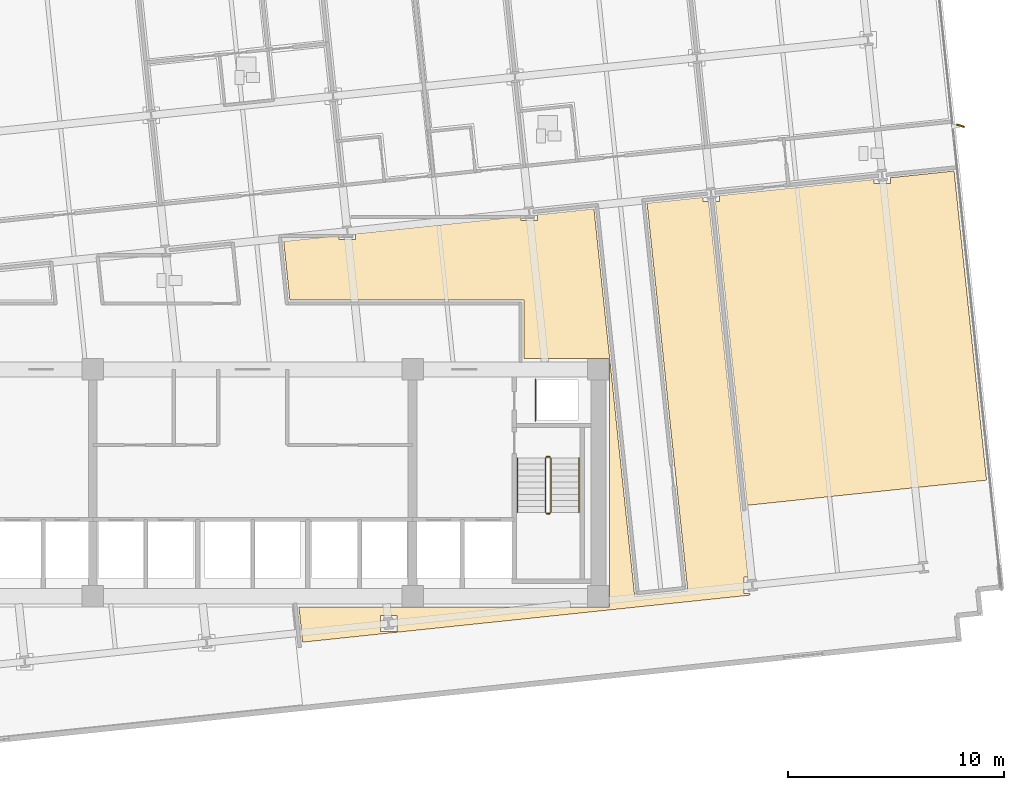
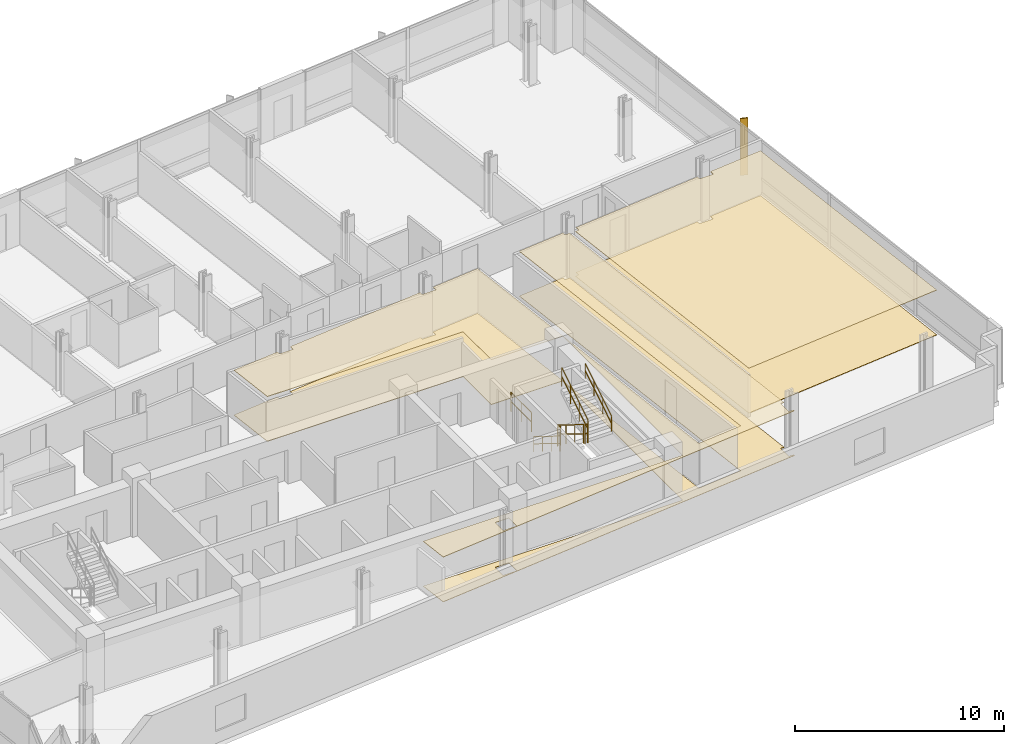
# One storey, part 15 of 17: 7 railings, 4 coverings, 1 shading device.
"""IFC4 building model written with IfcOpenShell, lengths in metres."""

from ifc_helpers import new_model, si_unit, direction, frame, origin, origin_2d, place, context, subcontext, project, spatial, polyline, rectangle, circle, outline, extrude, material, layer, layer_set, type_object, element, save


model = new_model("IFC4")

# Units and contexts
model_context = context("Model", 3, precision=1e-05, world=origin(), true_north=direction((0.0, 1.0)))
body_context = subcontext(model_context, "Body", "Model", "MODEL_VIEW")
ifc_project = project(units=[si_unit("LENGTHUNIT", "METRE"), si_unit("AREAUNIT", "SQUARE_METRE"), si_unit("VOLUMEUNIT", "CUBIC_METRE"), si_unit("PLANEANGLEUNIT", "RADIAN"), si_unit("MASSUNIT", "GRAM", prefix="KILO")], contexts=[model_context])

# Site, building, storey
site_placement = place(None, origin())
site = spatial("IfcSite", under=ifc_project, at=site_placement, CompositionType="ELEMENT")
building_placement = place(site_placement, origin())
building = spatial("IfcBuilding", under=site, at=building_placement, Name="Solmavex Isthmus Hotel", CompositionType="ELEMENT")
storey_placement = place(building_placement, frame((0.0, 0.0, 93.89990234375)))
storey = spatial("IfcBuildingStorey", under=building, at=storey_placement, Name="L25", CompositionType="ELEMENT", Elevation=93.89990234375)

# Coverings
ifc_material_1 = material(Name="Gypsum plasterboard lining", Category="gypsum")
ifc_layer_1 = layer(ifc_material_1, 0.030029296875)
ifc_layer_set_1 = layer_set([ifc_layer_1], Name="Gypsum plasterboard lining")
covering_type_1 = type_object("IfcCoveringType", Name="COV-CEIL-GYP", PredefinedType="CEILING", material=ifc_layer_set_1)
covering_1_placement = place(storey_placement, frame((0.0, 0.0, 2.6201171875)))
element("IfcCovering", 1, at=covering_1_placement, inside=storey, type_object=covering_type_1, Name="Suspended Acoustic Ceiling L25-FL12", PredefinedType="CEILING", context=body_context, shape_type="SweptSolid", body=[
    extrude(outline(polyline([(4.760498046875, 3.7724609375), (4.760498046875, 3.508544921875), (4.00048828125, 3.508544921875), (4.00048828125, 3.692626953125), (1.43505859375, 3.423095703125), (1.720703125, 0.705078125), (12.554931640625, 0.705078125), (12.554931640625, -1.9951171875), (16.5048828125, -1.9951171875), (16.5048828125, -13.5048828125), (2.141357421875, -13.5048828125), (2.311767578125, -15.126953125), (23.019775390625, -12.950439453125), (23.011474609375, -12.87158203125), (22.747314453125, -12.87158203125), (22.747314453125, -12.111572265625), (22.931640625, -12.111572265625), (21.103759765625, 5.2783203125), (20.83984375, 5.2783203125), (20.83984375, 5.462646484375), (18.25439453125, 5.19091796875), (20.14111328125, -12.76025390625), (17.6845703125, -13.0185546875), (15.7978515625, 4.9326171875), (13.18017578125, 4.657470703125), (13.18017578125, 4.393310546875), (12.420166015625, 4.393310546875), (12.420166015625, 4.57763671875), (4.760498046875, 3.7724609375)]), holes=[polyline([(5.908203125, -14.6416015625), (5.908203125, -13.881591796875), (6.668212890625, -13.881591796875), (6.668212890625, -14.6416015625), (5.908203125, -14.6416015625)])]), origin(), (0.0, 0.0, 1.0), 0.030029296875),
])
covering_2_placement = place(storey_placement, frame((0.0, 0.0, 2.6201171875)))
element("IfcCovering", 2, at=covering_2_placement, inside=storey, type_object=covering_type_1, Name="Suspended Acoustic Ceiling L25-FL13", PredefinedType="CEILING", context=body_context, shape_type="SweptSolid", body=[
    extrude(outline(polyline([(29.524169921875, 6.375244140625), (29.524169921875, 6.111328125), (28.76416015625, 6.111328125), (28.76416015625, 6.29541015625), (24.816162109375, 5.880615234375), (21.599609375, 5.54248046875), (21.599609375, 5.2783203125), (21.41552734375, 5.2783203125), (22.894287109375, -8.790771484375), (33.97119140625, -7.62646484375), (32.467041015625, 6.6845703125), (29.524169921875, 6.375244140625)])), origin(), (0.0, 0.0, 1.0), 0.030029296875),
])
ifc_material_2 = material(Name="Travertine natural stone", Category="masonry")
ifc_layer_2 = layer(ifc_material_2, 0.02490234375)
ifc_layer_set_2 = layer_set([ifc_layer_2], Name="Travertine natural stone")
covering_type_2 = type_object("IfcCoveringType", Name="COV-FLOR-STN", PredefinedType="FLOORING", material=ifc_layer_set_2)
covering_3_placement = place(storey_placement, origin())
element("IfcCovering", 3, at=covering_3_placement, inside=storey, type_object=covering_type_2, Name="Stone and Timber Floor Finish L25-FL12", PredefinedType="FLOORING", context=body_context, shape_type="SweptSolid", body=[
    extrude(outline(polyline([(4.760498046875, 3.7724609375), (4.760498046875, 3.508544921875), (4.00048828125, 3.508544921875), (4.00048828125, 3.692626953125), (1.43505859375, 3.423095703125), (1.720703125, 0.705078125), (12.554931640625, 0.705078125), (12.554931640625, -1.9951171875), (16.5048828125, -1.9951171875), (16.5048828125, -13.5048828125), (2.141357421875, -13.5048828125), (2.311767578125, -15.126953125), (23.019775390625, -12.950439453125), (23.011474609375, -12.87158203125), (22.747314453125, -12.87158203125), (22.747314453125, -12.111572265625), (22.931640625, -12.111572265625), (21.103759765625, 5.2783203125), (20.83984375, 5.2783203125), (20.83984375, 5.462646484375), (18.25439453125, 5.19091796875), (20.14111328125, -12.76025390625), (17.6845703125, -13.0185546875), (15.7978515625, 4.9326171875), (13.18017578125, 4.657470703125), (13.18017578125, 4.393310546875), (12.420166015625, 4.393310546875), (12.420166015625, 4.57763671875), (4.760498046875, 3.7724609375)]), holes=[polyline([(5.908203125, -14.6416015625), (5.908203125, -13.881591796875), (6.668212890625, -13.881591796875), (6.668212890625, -14.6416015625), (5.908203125, -14.6416015625)])]), origin(), (0.0, 0.0, 1.0), 0.025146484375),
])
covering_4_placement = place(storey_placement, origin())
element("IfcCovering", 4, at=covering_4_placement, inside=storey, type_object=covering_type_2, Name="Stone and Timber Floor Finish L25-FL13", PredefinedType="FLOORING", context=body_context, shape_type="SweptSolid", body=[
    extrude(outline(polyline([(29.524169921875, 6.375244140625), (29.524169921875, 6.111328125), (28.76416015625, 6.111328125), (28.76416015625, 6.29541015625), (24.816162109375, 5.880615234375), (21.599609375, 5.54248046875), (21.599609375, 5.2783203125), (21.41552734375, 5.2783203125), (22.894287109375, -8.790771484375), (33.97119140625, -7.62646484375), (32.467041015625, 6.6845703125), (29.524169921875, 6.375244140625)])), origin(), (0.0, 0.0, 1.0), 0.025146484375),
])

# Railings
ifc_material_3 = material(Name="Clear low-E laminated glass", Category="glass")
ifc_layer_3 = layer(ifc_material_3, 0.080078125)
ifc_layer_set_3 = layer_set([ifc_layer_3], Name="Clear low-E laminated glass")
railing_type_1 = type_object("IfcRailingType", Name="RAIL-ATRIUM-1120", PredefinedType="BALUSTRADE", material=ifc_layer_set_3)
railing_1_placement = place(storey_placement, frame((13.10009765625, -4.89990234375, 0.0)))
element("IfcRailing", 5, at=railing_1_placement, inside=storey, type_object=railing_type_1, Name="Guardrail Balustrade L25-RSE-01", PredefinedType="BALUSTRADE", context=body_context, shape_type="SweptSolid", body=[
    extrude(circle(Radius=0.02392578125, at=origin_2d()), frame((0.0, 0.0, 1.1259765625), z_axis=(0.0, 1.0, 0.0), x_axis=(-1.0, 0.0, 0.0)), (0.0, 0.0, 1.0), 1.949951171875),
    extrude(circle(Radius=0.02392578125, at=origin_2d()), frame((0.0, 0.0, 0.574951171875), z_axis=(0.0, 1.0, 0.0), x_axis=(-1.0, 0.0, 0.0)), (0.0, 0.0, 1.0), 1.949951171875),
    extrude(circle(Radius=0.02099609375, at=origin_2d()), origin(), (0.0, 0.0, 1.0), 1.101806640625),
    extrude(circle(Radius=0.02099609375, at=origin_2d()), frame((0.0, 0.97509765625, 0.0)), (0.0, 0.0, 1.0), 1.101806640625),
    extrude(circle(Radius=0.02099609375, at=origin_2d()), frame((0.0, 1.949951171875, 0.0)), (0.0, 0.0, 1.0), 1.101806640625),
])
ifc_material_4 = material(Name="Stainless steel 316", Category="steel")
ifc_layer_4 = layer(ifc_material_4, 0.06005859375)
ifc_layer_set_4 = layer_set([ifc_layer_4], Name="Stainless steel 316")
railing_type_2 = type_object("IfcRailingType", Name="RAIL-STAIR-GD", PredefinedType="GUARDRAIL", material=ifc_layer_set_4)
railing_2_placement = place(storey_placement, frame((13.550048828125, -6.60009765625, 0.172607421875)))
element("IfcRailing", 6, at=railing_2_placement, inside=storey, type_object=railing_type_2, Name="L25 ST-2 stair guard 1", PredefinedType="GUARDRAIL", context=body_context, shape_type="SweptSolid", body=[
    extrude(circle(Radius=0.02392578125, at=origin_2d()), frame((0.0, 0.0, 1.09619140625), z_axis=(0.0, -0.851400495292, 0.524516154772), x_axis=(1.0, 0.0, 0.0)), (0.0, 0.0, 1.0), 2.9599609375),
    extrude(circle(Radius=0.02392578125, at=origin_2d()), frame((0.0, 0.0, 0.56005859375), z_axis=(0.0, -0.851400495292, 0.524516154772), x_axis=(1.0, 0.0, 0.0)), (0.0, 0.0, 1.0), 2.9599609375),
    extrude(circle(Radius=0.02099609375, at=origin_2d()), origin(), (0.0, 0.0, 1.0), 1.072021484375),
    extrude(circle(Radius=0.02099609375, at=origin_2d()), frame((0.0, -0.840087890625, 0.517578125)), (0.0, 0.0, 1.0), 1.072021484375),
    extrude(circle(Radius=0.02099609375, at=origin_2d()), frame((0.0, -1.679931640625, 1.034912109375)), (0.0, 0.0, 1.0), 1.072021484375),
    extrude(circle(Radius=0.02099609375, at=origin_2d()), frame((0.0, -2.52001953125, 1.552490234375)), (0.0, 0.0, 1.0), 1.072021484375),
])
railing_3_placement = place(storey_placement, frame((13.60009765625, -9.169921875, 1.72509765625)))
element("IfcRailing", 7, at=railing_3_placement, inside=storey, type_object=railing_type_2, Name="L25 ST-2 stair guard 2", PredefinedType="GUARDRAIL", context=body_context, shape_type="SweptSolid", body=[
    extrude(circle(Radius=0.02392578125, at=origin_2d()), frame((0.0, 0.0, 1.09619140625), z_axis=(1.0, 0.0, 0.0), x_axis=(0.0, 1.0, 0.0)), (0.0, 0.0, 1.0), 0.14990234375),
    extrude(circle(Radius=0.02392578125, at=origin_2d()), frame((0.0, 0.0, 0.56005859375), z_axis=(1.0, 0.0, 0.0), x_axis=(0.0, 1.0, 0.0)), (0.0, 0.0, 1.0), 0.14990234375),
    extrude(circle(Radius=0.02099609375, at=origin_2d()), origin(), (0.0, 0.0, 1.0), 1.072021484375),
    extrude(circle(Radius=0.02099609375, at=origin_2d()), frame((0.14990234375, 0.0, 0.0)), (0.0, 0.0, 1.0), 1.072021484375),
])
railing_4_placement = place(storey_placement, frame((13.800048828125, -9.1201171875, 1.897705078125)))
element("IfcRailing", 8, at=railing_4_placement, inside=storey, type_object=railing_type_2, Name="L25 ST-2 stair guard 3", PredefinedType="GUARDRAIL", context=body_context, shape_type="SweptSolid", body=[
    extrude(circle(Radius=0.02392578125, at=origin_2d()), frame((0.0, 0.0, 1.09619140625), z_axis=(0.0, 0.851400495292, 0.524516154772), x_axis=(-1.0, 0.0, 0.0)), (0.0, 0.0, 1.0), 2.9599609375),
    extrude(circle(Radius=0.02392578125, at=origin_2d()), frame((0.0, 0.0, 0.56005859375), z_axis=(0.0, 0.851400495292, 0.524516154772), x_axis=(-1.0, 0.0, 0.0)), (0.0, 0.0, 1.0), 2.9599609375),
    extrude(circle(Radius=0.02099609375, at=origin_2d()), origin(), (0.0, 0.0, 1.0), 1.072021484375),
    extrude(circle(Radius=0.02099609375, at=origin_2d()), frame((0.0, 0.840087890625, 0.517578125)), (0.0, 0.0, 1.0), 1.072021484375),
    extrude(circle(Radius=0.02099609375, at=origin_2d()), frame((0.0, 1.679931640625, 1.034912109375)), (0.0, 0.0, 1.0), 1.072021484375),
    extrude(circle(Radius=0.02099609375, at=origin_2d()), frame((0.0, 2.52001953125, 1.552490234375)), (0.0, 0.0, 1.0), 1.072021484375),
])
railing_5_placement = place(storey_placement, frame((13.60009765625, -6.550048828125, 0.0)))
element("IfcRailing", 9, at=railing_5_placement, inside=storey, type_object=railing_type_2, Name="L25 ST-2 stair guard 4", PredefinedType="GUARDRAIL", context=body_context, shape_type="SweptSolid", body=[
    extrude(circle(Radius=0.02392578125, at=origin_2d()), frame((0.0, 0.0, 1.09619140625), z_axis=(1.0, 0.0, 0.0), x_axis=(0.0, 1.0, 0.0)), (0.0, 0.0, 1.0), 0.14990234375),
    extrude(circle(Radius=0.02392578125, at=origin_2d()), frame((0.0, 0.0, 0.56005859375), z_axis=(1.0, 0.0, 0.0), x_axis=(0.0, 1.0, 0.0)), (0.0, 0.0, 1.0), 0.14990234375),
    extrude(circle(Radius=0.02099609375, at=origin_2d()), origin(), (0.0, 0.0, 1.0), 1.072021484375),
    extrude(circle(Radius=0.02099609375, at=origin_2d()), frame((0.14990234375, 0.0, 0.0)), (0.0, 0.0, 1.0), 1.072021484375),
])
ifc_layer_5 = layer(ifc_material_4, 0.050048828125)
ifc_layer_set_5 = layer_set([ifc_layer_5], Name="Stainless steel 316")
railing_type_3 = type_object("IfcRailingType", Name="RAIL-STAIR-HR", PredefinedType="HANDRAIL", material=ifc_layer_set_5)
railing_6_placement = place(storey_placement, frame((12.25, -6.60009765625, 0.172607421875)))
element("IfcRailing", 10, at=railing_6_placement, inside=storey, type_object=railing_type_3, Name="L25 ST-2 stair handrail 1", PredefinedType="HANDRAIL", context=body_context, shape_type="SweptSolid", body=[
    extrude(circle(Radius=0.02392578125, at=origin_2d()), frame((0.0, 0.0, 0.8759765625), z_axis=(0.0, -0.851400495292, 0.524516154772), x_axis=(1.0, 0.0, 0.0)), (0.0, 0.0, 1.0), 2.9599609375),
    extrude(circle(Radius=0.02392578125, at=origin_2d()), frame((0.0, 0.0, 0.449951171875), z_axis=(0.0, -0.851400495292, 0.524516154772), x_axis=(1.0, 0.0, 0.0)), (0.0, 0.0, 1.0), 2.9599609375),
    extrude(circle(Radius=0.02099609375, at=origin_2d()), origin(), (0.0, 0.0, 1.0), 0.851806640625),
    extrude(circle(Radius=0.02099609375, at=origin_2d()), frame((0.0, -0.840087890625, 0.517578125)), (0.0, 0.0, 1.0), 0.851806640625),
    extrude(circle(Radius=0.02099609375, at=origin_2d()), frame((0.0, -1.679931640625, 1.034912109375)), (0.0, 0.0, 1.0), 0.851806640625),
    extrude(circle(Radius=0.02099609375, at=origin_2d()), frame((0.0, -2.52001953125, 1.552490234375)), (0.0, 0.0, 1.0), 0.851806640625),
])
railing_7_placement = place(storey_placement, frame((15.10009765625, -9.1201171875, 1.897705078125)))
element("IfcRailing", 11, at=railing_7_placement, inside=storey, type_object=railing_type_3, Name="L25 ST-2 stair handrail 2", PredefinedType="HANDRAIL", context=body_context, shape_type="SweptSolid", body=[
    extrude(circle(Radius=0.02392578125, at=origin_2d()), frame((0.0, 0.0, 0.8759765625), z_axis=(0.0, 0.851400495292, 0.524516154772), x_axis=(-1.0, 0.0, 0.0)), (0.0, 0.0, 1.0), 2.9599609375),
    extrude(circle(Radius=0.02392578125, at=origin_2d()), frame((0.0, 0.0, 0.449951171875), z_axis=(0.0, 0.851400495292, 0.524516154772), x_axis=(-1.0, 0.0, 0.0)), (0.0, 0.0, 1.0), 2.9599609375),
    extrude(circle(Radius=0.02099609375, at=origin_2d()), origin(), (0.0, 0.0, 1.0), 0.851806640625),
    extrude(circle(Radius=0.02099609375, at=origin_2d()), frame((0.0, 0.840087890625, 0.517578125)), (0.0, 0.0, 1.0), 0.851806640625),
    extrude(circle(Radius=0.02099609375, at=origin_2d()), frame((0.0, 1.679931640625, 1.034912109375)), (0.0, 0.0, 1.0), 0.851806640625),
    extrude(circle(Radius=0.02099609375, at=origin_2d()), frame((0.0, 2.52001953125, 1.552490234375)), (0.0, 0.0, 1.0), 0.851806640625),
])

# Shading device
ifc_material_5 = material(Name="Aluminium alloy 6063-T6", Category="aluminium")
shading_device_type = type_object("IfcShadingDeviceType", Name="SHD-FIN-CHAMP", PredefinedType="USERDEFINED", material=ifc_material_5)
shading_device_placement = place(storey_placement, frame((32.764404296875, 8.7822265625, -0.139892578125), z_axis=(0.0, 0.0, 1.0), x_axis=(0.951056516295, -0.309016994375, 0.0)))
element("IfcShadingDevice", 12, at=shading_device_placement, inside=storey, type_object=shading_device_type, Name="Anodised Aluminium Solar Fin L25-E1", ObjectType="SOLAR_FIN", PredefinedType="USERDEFINED", context=body_context, shape_type="SweptSolid", body=[
    extrude(rectangle(XDim=0.3798828125, YDim=0.070068359375, at=origin_2d()), origin(), (0.0, 0.0, 1.0), 3.330078125),
])

save(model, "model.ifc")
